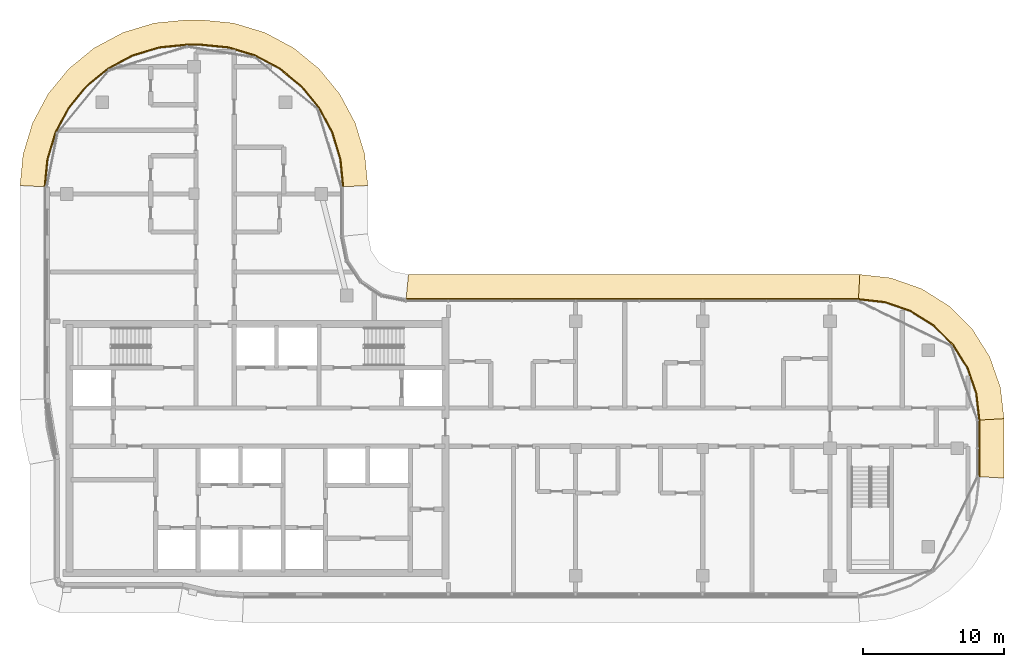
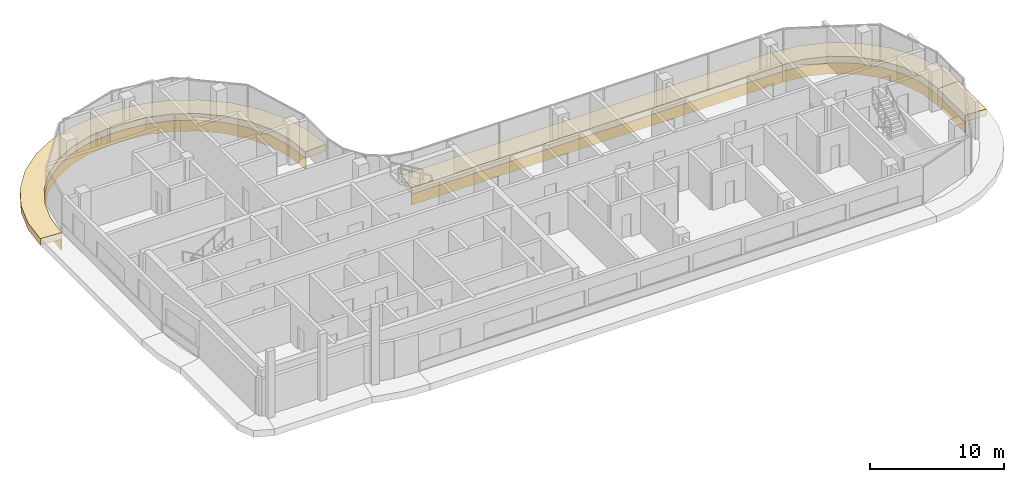
# One storey, part 21 of 21: 8 coverings.
"""IFC4 building model written with IfcOpenShell, lengths in metres."""

from ifc_helpers import new_model, si_unit, direction, frame, origin, place, context, subcontext, project, spatial, polyline, outline, extrude, material, layer, layer_set, type_object, element, save


model = new_model("IFC4")

# Units and contexts
model_context = context("Model", 3, precision=1e-05, world=origin(), true_north=direction((0.0, 1.0)))
body_context = subcontext(model_context, "Body", "Model", "MODEL_VIEW")
ifc_project = project(units=[si_unit("LENGTHUNIT", "METRE"), si_unit("AREAUNIT", "SQUARE_METRE"), si_unit("VOLUMEUNIT", "CUBIC_METRE"), si_unit("PLANEANGLEUNIT", "RADIAN"), si_unit("MASSUNIT", "GRAM", prefix="KILO")], contexts=[model_context])

# Site, building, storey
site_placement = place(None, origin())
site = spatial("IfcSite", under=ifc_project, at=site_placement, CompositionType="ELEMENT")
building_placement = place(site_placement, origin())
building = spatial("IfcBuilding", under=site, at=building_placement, Name="Ogive Portal Towers", CompositionType="ELEMENT")
storey_placement = place(building_placement, frame((0.0, 0.0, 225.39990234375)))
storey = spatial("IfcBuildingStorey", under=building, at=storey_placement, Name="L56", CompositionType="ELEMENT", Elevation=225.39990234375)

# Coverings
ifc_material = material(Name="Limestone cladding on lightweight block wall", Category="masonry")
ifc_layer_1 = layer(ifc_material, 0.080078125)
ifc_layer_set_1 = layer_set([ifc_layer_1], Name="STONE SPANDREL 80")
covering_type_1 = type_object("IfcCoveringType", Name="STONE SPANDREL 80", PredefinedType="CLADDING", material=ifc_layer_set_1)
covering_1_placement = place(storey_placement, frame((0.0, 0.0, -1.599853515625)))
element("IfcCovering", 1, at=covering_1_placement, inside=storey, type_object=covering_type_1, Name="Stone spandrel A1-F07", PredefinedType="CLADDING", context=body_context, shape_type="SweptSolid", body=[
    extrude(outline(polyline([(96.0, 28.5), (96.0, 32.5), (96.080078125, 32.50439453125), (96.080078125, 28.49560546875), (96.0, 28.5)])), origin(), (0.0, 0.0, 1.0), 1.0),
])
covering_2_placement = place(storey_placement, frame((0.0, 0.0, -1.599853515625)))
element("IfcCovering", 2, at=covering_2_placement, inside=storey, type_object=covering_type_1, Name="Stone spandrel A1-F08", PredefinedType="CLADDING", context=body_context, shape_type="SweptSolid", body=[
    extrude(outline(polyline([(96.0, 32.5), (95.786865234375, 34.391357421875), (95.158203125, 36.18798828125), (94.1455078125, 37.799560546875), (92.799560546875, 39.1455078125), (91.18798828125, 40.158203125), (89.391357421875, 40.786865234375), (87.5, 41.0), (87.50439453125, 41.080078125), (89.409423828125, 40.865478515625), (91.222900390625, 40.230712890625), (92.849853515625, 39.20849609375), (94.20849609375, 37.849853515625), (95.230712890625, 36.222900390625), (95.865478515625, 34.409423828125), (96.080078125, 32.50439453125), (96.0, 32.5)])), origin(), (0.0, 0.0, 1.0), 1.0),
])
covering_3_placement = place(storey_placement, frame((0.0, 0.0, -1.599853515625)))
element("IfcCovering", 3, at=covering_3_placement, inside=storey, type_object=covering_type_1, Name="Stone spandrel A1-F09", PredefinedType="CLADDING", context=body_context, shape_type="SweptSolid", body=[
    extrude(outline(polyline([(87.5, 41.0), (55.5, 41.0), (55.5078125, 41.080078125), (87.50439453125, 41.080078125), (87.5, 41.0)])), origin(), (0.0, 0.0, 1.0), 1.0),
])
covering_4_placement = place(storey_placement, frame((0.0, 0.0, -1.599853515625)))
element("IfcCovering", 4, at=covering_4_placement, inside=storey, type_object=covering_type_1, Name="Stone spandrel A1-F12", PredefinedType="CLADDING", context=body_context, shape_type="SweptSolid", body=[
    extrude(outline(polyline([(51.0, 49.0), (50.807861328125, 50.950927734375), (50.23876953125, 52.826904296875), (49.314697265625, 54.5556640625), (48.071044921875, 56.071044921875), (46.5556640625, 57.314697265625), (44.826904296875, 58.23876953125), (42.950927734375, 58.807861328125), (41.0, 59.0), (40.0, 59.0), (38.049072265625, 58.807861328125), (36.173095703125, 58.23876953125), (34.4443359375, 57.314697265625), (32.928955078125, 56.071044921875), (31.685302734375, 54.5556640625), (30.76123046875, 52.826904296875), (30.192138671875, 50.950927734375), (30.0, 49.0), (29.919921875, 49.00390625), (30.11328125, 50.966552734375), (30.68701171875, 52.857666015625), (31.618408203125, 54.600341796875), (32.8720703125, 56.1279296875), (34.399658203125, 57.381591796875), (36.142333984375, 58.31298828125), (38.033447265625, 58.88671875), (39.99609375, 59.080078125), (41.00390625, 59.080078125), (42.966552734375, 58.88671875), (44.857666015625, 58.31298828125), (46.600341796875, 57.381591796875), (48.1279296875, 56.1279296875), (49.381591796875, 54.600341796875), (50.31298828125, 52.857666015625), (50.88671875, 50.966552734375), (51.080078125, 49.00390625), (51.0, 49.0)])), origin(), (0.0, 0.0, 1.0), 1.0),
])
ifc_layer_2 = layer(ifc_material, 0.60009765625)
ifc_layer_set_2 = layer_set([ifc_layer_2], Name="SUNSHADE LIP 600")
covering_type_2 = type_object("IfcCoveringType", Name="SUNSHADE LIP 600", PredefinedType="CLADDING", material=ifc_layer_set_2)
covering_5_placement = place(storey_placement, frame((0.0, 0.0, -0.599853515625)))
element("IfcCovering", 5, at=covering_5_placement, inside=storey, type_object=covering_type_2, Name="Sunshade lip A1-F07", PredefinedType="CLADDING", context=body_context, shape_type="SweptSolid", body=[
    extrude(outline(polyline([(96.0, 28.5), (96.0, 32.5), (97.800048828125, 32.60107421875), (97.800048828125, 28.39892578125), (96.0, 28.5)])), origin(), (0.0, 0.0, 1.0), 0.599853515625),
])
covering_6_placement = place(storey_placement, frame((0.0, 0.0, -0.599853515625)))
element("IfcCovering", 6, at=covering_6_placement, inside=storey, type_object=covering_type_2, Name="Sunshade lip A1-F08", PredefinedType="CLADDING", context=body_context, shape_type="SweptSolid", body=[
    extrude(outline(polyline([(96.0, 32.5), (95.786865234375, 34.391357421875), (95.158203125, 36.18798828125), (94.1455078125, 37.799560546875), (92.799560546875, 39.1455078125), (91.18798828125, 40.158203125), (89.391357421875, 40.786865234375), (87.5, 41.0), (87.60107421875, 42.800048828125), (89.79443359375, 42.552978515625), (91.973876953125, 41.790283203125), (93.928955078125, 40.561767578125), (95.561767578125, 38.928955078125), (96.790283203125, 36.973876953125), (97.552978515625, 34.79443359375), (97.800048828125, 32.60107421875), (96.0, 32.5)])), origin(), (0.0, 0.0, 1.0), 0.599853515625),
])
covering_7_placement = place(storey_placement, frame((0.0, 0.0, -0.599853515625)))
element("IfcCovering", 7, at=covering_7_placement, inside=storey, type_object=covering_type_2, Name="Sunshade lip A1-F09", PredefinedType="CLADDING", context=body_context, shape_type="SweptSolid", body=[
    extrude(outline(polyline([(87.5, 41.0), (55.5, 41.0), (55.67724609375, 42.800048828125), (87.60107421875, 42.800048828125), (87.5, 41.0)])), origin(), (0.0, 0.0, 1.0), 0.599853515625),
])
covering_8_placement = place(storey_placement, frame((0.0, 0.0, -0.599853515625)))
element("IfcCovering", 8, at=covering_8_placement, inside=storey, type_object=covering_type_2, Name="Sunshade lip A1-F12", PredefinedType="CLADDING", context=body_context, shape_type="SweptSolid", body=[
    extrude(outline(polyline([(51.0, 49.0), (50.807861328125, 50.950927734375), (50.23876953125, 52.826904296875), (49.314697265625, 54.5556640625), (48.071044921875, 56.071044921875), (46.5556640625, 57.314697265625), (44.826904296875, 58.23876953125), (42.950927734375, 58.807861328125), (41.0, 59.0), (40.0, 59.0), (38.049072265625, 58.807861328125), (36.173095703125, 58.23876953125), (34.4443359375, 57.314697265625), (32.928955078125, 56.071044921875), (31.685302734375, 54.5556640625), (30.76123046875, 52.826904296875), (30.192138671875, 50.950927734375), (30.0, 49.0), (28.199951171875, 49.08837890625), (28.418212890625, 51.3037109375), (29.090087890625, 53.51904296875), (30.181396484375, 55.560546875), (31.64990234375, 57.35009765625), (33.439453125, 58.818603515625), (35.48095703125, 59.909912109375), (37.6962890625, 60.581787109375), (39.91162109375, 60.800048828125), (41.08837890625, 60.800048828125), (43.3037109375, 60.581787109375), (45.51904296875, 59.909912109375), (47.560546875, 58.818603515625), (49.35009765625, 57.35009765625), (50.818603515625, 55.560546875), (51.909912109375, 53.51904296875), (52.581787109375, 51.3037109375), (52.800048828125, 49.08837890625), (51.0, 49.0)])), origin(), (0.0, 0.0, 1.0), 0.599853515625),
])

save(model, "model.ifc")
